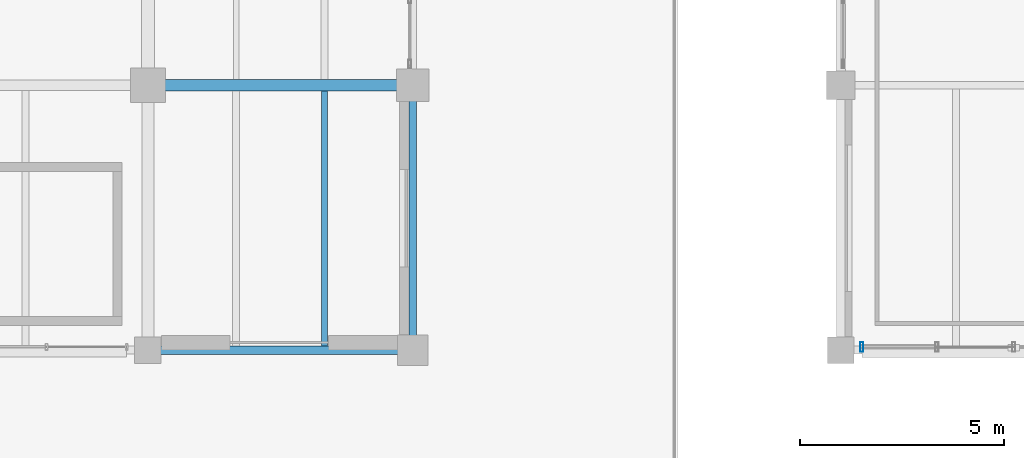
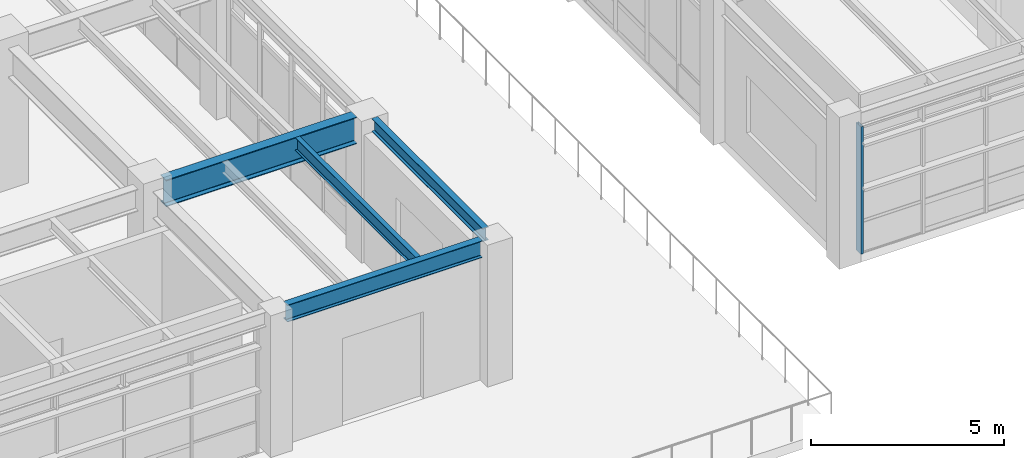
# One storey, part 105 of 200: 4 beams, 1 member, 1 element without a shape of its own.
"""IFC4 building model written with IfcOpenShell, lengths in metres."""

import ifcopenshell
import ifcopenshell.guid

model = None  # the IFC model being written
_history = None  # IfcOwnerHistory: only IFC2X3 demands one
_inside = {}  # id of a spatial element -> (the spatial element, [elements in it])
_under = {}  # id of a project, library or spatial element -> (it, [spatial elements below it])
_declared = {}  # id of a project -> (the project, [libraries it declares])
_typed = {}  # id of a type object -> (the type object, [elements of that type])
_made_of = {}  # id of a material, layer set ... -> (it, [elements and type objects made of it])


def new_model(schema):
    """Start an empty IFC model of exactly this schema.

    Asked for "IFC4X3", IfcOpenShell would pick the latest addendum, in which some entities
    have other attributes; the version numbers below select the first issue.
    IFC2X3 requires an IfcOwnerHistory on every rooted entity: one is made here for all.
    """
    global model, _history
    if schema == "IFC4X3":
        model = ifcopenshell.file(schema_version=(4, 3, 0, 0))
    else:
        model = ifcopenshell.file(schema=schema)
    _inside.clear()
    _under.clear()
    _declared.clear()
    _typed.clear()
    _made_of.clear()
    _history = None
    if model.schema == "IFC2X3":
        org = make("IfcOrganization", Name="unknown")
        user = make(
            "IfcPersonAndOrganization",
            ThePerson=make("IfcPerson", FamilyName="unknown"),
            TheOrganization=org,
        )
        app = make(
            "IfcApplication",
            ApplicationDeveloper=org,
            Version="unknown",
            ApplicationFullName="unknown",
            ApplicationIdentifier="unknown",
        )
        _history = make(
            "IfcOwnerHistory",
            OwningUser=user,
            OwningApplication=app,
            ChangeAction="ADDED",
            CreationDate=0,
        )
    return model


def make(cls, **values):
    """One entity of the class cls with the attributes given. An attribute that is None is left unset."""
    return model.create_entity(
        cls, **{name: value for name, value in values.items() if value is not None}
    )


def rooted(cls, **values):
    """An entity with a GlobalId (a new one), such as an element, a storey or a relation."""
    return make(cls, GlobalId=ifcopenshell.guid.new(), OwnerHistory=_history, **values)


def si_unit(unit_type, name, prefix=None):
    """IfcSIUnit, for example si_unit("LENGTHUNIT", "METRE", prefix="MILLI")."""
    return make("IfcSIUnit", UnitType=unit_type, Prefix=prefix, Name=name)


def assignment(units):
    """IfcUnitAssignment: the units of a project."""
    return None if units is None else make("IfcUnitAssignment", Units=units)


def point(xyz):
    """IfcCartesianPoint."""
    return None if xyz is None else make("IfcCartesianPoint", Coordinates=xyz)


def direction(xyz):
    """IfcDirection."""
    return None if xyz is None else make("IfcDirection", DirectionRatios=xyz)


def frame(location, z_axis=None, x_axis=None):
    """IfcAxis2Placement3D, a coordinate frame: its origin and axes. An axis left out is left unset."""
    return make(
        "IfcAxis2Placement3D",
        Location=point(location),
        Axis=direction(z_axis),
        RefDirection=direction(x_axis),
    )


def frame_2d(location, x_axis=None):
    """IfcAxis2Placement2D, a coordinate frame in the plane: its origin and x axis."""
    return make(
        "IfcAxis2Placement2D", Location=point(location), RefDirection=direction(x_axis)
    )


def origin():
    """The frame at (0, 0, 0) with its axes left unset."""
    return frame((0.0, 0.0, 0.0))


def origin_2d():
    """The frame at (0, 0) in the plane with its x axis left unset."""
    return frame_2d((0.0, 0.0))


def place(relative_to, where):
    """IfcLocalPlacement: puts the frame where relative to a parent placement (None: the world)."""
    return make(
        "IfcLocalPlacement", PlacementRelTo=relative_to, RelativePlacement=where
    )


def context(
    kind, dimensions, precision=None, world=None, true_north=None, identifier=None
):
    """IfcGeometricRepresentationContext, for example the 3D "Model" context."""
    return make(
        "IfcGeometricRepresentationContext",
        ContextIdentifier=identifier,
        ContextType=kind,
        CoordinateSpaceDimension=dimensions,
        Precision=precision,
        WorldCoordinateSystem=world,
        TrueNorth=true_north,
    )


def subcontext(parent, identifier, kind, view, scale=None):
    """IfcGeometricRepresentationSubContext, for example "Body" below "Model"."""
    return make(
        "IfcGeometricRepresentationSubContext",
        ContextIdentifier=identifier,
        ContextType=kind,
        ParentContext=parent,
        TargetScale=scale,
        TargetView=view,
    )


def project(units=None, contexts=None):
    """IfcProject with its units and contexts."""
    return rooted(
        "IfcProject",
        Name="project",
        RepresentationContexts=contexts,
        UnitsInContext=assignment(units),
    )


def spatial(cls, under=None, at=None, **own):
    """A site, building, storey or space (cls), placed at a placement, below another one or the project."""
    s = rooted(cls, ObjectPlacement=at, **own)
    if under is not None:
        _under.setdefault(under.id(), (under, []))[1].append(s)
    return s


def profile(cls, at=None, kind="AREA", **sizes):
    """A parametric profile (cls). Its sizes go by their IFC names, for example OverallWidth=200.0."""
    return make(cls, ProfileType=kind, Position=at, **sizes)


def hollow_rectangle(**sizes):
    """IfcRectangleHollowProfileDef."""
    return profile("IfcRectangleHollowProfileDef", **sizes)


def i_section(**sizes):
    """IfcIShapeProfileDef."""
    return profile("IfcIShapeProfileDef", **sizes)


def extrude(swept, where, along, depth):
    """IfcExtrudedAreaSolid: the profile swept, set in the frame where, extruded along a direction by depth."""
    return make(
        "IfcExtrudedAreaSolid",
        SweptArea=swept,
        Position=where,
        ExtrudedDirection=direction(along),
        Depth=depth,
    )


def shape(context_of_items, identifier, shape_type, items):
    """IfcShapeRepresentation: the items that make up one representation, for example the "Body"."""
    return make(
        "IfcShapeRepresentation",
        ContextOfItems=context_of_items,
        RepresentationIdentifier=identifier,
        RepresentationType=shape_type,
        Items=items,
    )


def material(Name=None, Category=None):
    """IfcMaterial."""
    return make("IfcMaterial", Name=Name, Category=Category)


def material_profile(
    of_material, cross_section, Name=None, Category=None, Priority=None
):
    """IfcMaterialProfile: a cross section and its material."""
    return make(
        "IfcMaterialProfile",
        Name=Name,
        Material=of_material,
        Profile=cross_section,
        Priority=Priority,
        Category=Category,
    )


def profile_set(profiles, Name=None, composite=None):
    """IfcMaterialProfileSet."""
    return make(
        "IfcMaterialProfileSet",
        Name=Name,
        MaterialProfiles=profiles,
        CompositeProfile=composite,
    )


def made_of(thing, what):
    """Note that an element or type object is made of a material, layer set ...; save() writes the relation."""
    if what is not None:
        _made_of.setdefault(what.id(), (what, []))[1].append(thing)
    return thing


def type_object(cls, material=None, **own):
    """A type object (cls), such as IfcWallType, which elements share."""
    return made_of(rooted(cls, **own), material)


def element(
    cls,
    number,
    at=None,
    inside=None,
    cuts=None,
    type_object=None,
    material=None,
    context=None,
    identifier="Body",
    shape_type=None,
    held_by="IfcProductDefinitionShape",
    body=None,
    shapes=None,
    **own,
):
    """One element of the class cls, such as IfcWall. Its Tag is "e" and its number.

    at: its placement. inside: the storey or other place that contains it. cuts: it is an
    opening in that element (IfcRelVoidsElement). A single representation is given by context,
    identifier, shape_type and body (its items); several are given by shapes. held_by: the class
    of the entity that holds the representations. save() writes the other relations.
    """
    e = rooted(cls, Tag="e%d" % number, ObjectPlacement=at, **own)
    if body is not None:
        shapes = [shape(context, identifier, shape_type, body)]
    if shapes is not None:
        e.Representation = make(held_by, Representations=shapes)
    if inside is not None:
        _inside.setdefault(inside.id(), (inside, []))[1].append(e)
    if cuts is not None:
        rooted(
            "IfcRelVoidsElement", RelatingBuildingElement=cuts, RelatedOpeningElement=e
        )
    if type_object is not None:
        _typed.setdefault(type_object.id(), (type_object, []))[1].append(e)
    return made_of(e, material)


def aggregate(whole, parts):
    """IfcRelAggregates: a whole, such as a stair, and the parts it consists of."""
    return rooted("IfcRelAggregates", RelatingObject=whole, RelatedObjects=parts)


def save(model, path):
    """Write the relations noted so far, then the file.

    IfcRelAggregates (storeys below a building ...), IfcRelContainedInSpatialStructure (elements
    in a storey), IfcRelDefinesByType, IfcRelAssociatesMaterial and IfcRelDeclares: one each for
    every whole, place, type object, material and project.
    """
    for whole, parts in _under.values():
        aggregate(whole, parts)
    for where, things in _inside.values():
        rooted(
            "IfcRelContainedInSpatialStructure",
            RelatedElements=things,
            RelatingStructure=where,
        )
    for kind, things in _typed.values():
        rooted("IfcRelDefinesByType", RelatedObjects=things, RelatingType=kind)
    for what, things in _made_of.values():
        rooted("IfcRelAssociatesMaterial", RelatedObjects=things, RelatingMaterial=what)
    for by, libraries in _declared.values():
        rooted("IfcRelDeclares", RelatingContext=by, RelatedDefinitions=libraries)
    model.write(path)


model = new_model("IFC4")

# Units and contexts
model_context = context("Model", 3, precision=1e-05, world=origin(), true_north=direction((0.0, 1.0)))
body_context = subcontext(model_context, "Body", "Model", "MODEL_VIEW")
ifc_project = project(units=[si_unit("LENGTHUNIT", "METRE"), si_unit("AREAUNIT", "SQUARE_METRE"), si_unit("VOLUMEUNIT", "CUBIC_METRE"), si_unit("PLANEANGLEUNIT", "RADIAN"), si_unit("MASSUNIT", "GRAM", prefix="KILO"), si_unit("THERMODYNAMICTEMPERATUREUNIT", "KELVIN"), si_unit("POWERUNIT", "WATT")], contexts=[model_context])

# Site, building, storey
site_placement = place(None, origin())
site = spatial("IfcSite", under=ifc_project, at=site_placement, CompositionType="ELEMENT")
building_placement = place(site_placement, origin())
building = spatial("IfcBuilding", under=site, at=building_placement, Name="Tepalcoro Natatorium and Aquatics Centre", CompositionType="ELEMENT")
storey_placement = place(building_placement, frame((0.0, 0.0, 5.39990234375)))
storey = spatial("IfcBuildingStorey", under=building, at=storey_placement, Name="L01", CompositionType="ELEMENT", Elevation=5.39990234375)

# Beam
ifc_material_1 = material(Name="Steel ASTM A992 Grade 50 (Fy 345 MPa)", Category="steel")
ifc_material_profile_1 = material_profile(ifc_material_1, i_section(OverallWidth=0.2919921875, OverallDepth=0.845947265625, WebThickness=0.014892578125, FlangeThickness=0.02392578125, FilletRadius=0.013916015625, at=origin_2d()), Name="W33X141")
ifc_profile_set_1 = profile_set([ifc_material_profile_1], Name="Steel ASTM A992 Grade 50 (Fy 345 MPa)")
beam_type_1 = type_object("IfcBeamType", Name="BM_W33x141", PredefinedType="BEAM", material=ifc_profile_set_1)
beam_1_placement = place(storey_placement, frame((125.409912109375, 13.0, 4.0419921875), z_axis=(1.0, 0.0, 0.0), x_axis=(0.0, 1.0, 0.0)))
element("IfcBeam", 1, at=beam_1_placement, inside=storey, type_object=beam_type_1, Name="V1 L01 Grid Girder X", PredefinedType="BEAM", context=body_context, shape_type="SweptSolid", body=[
    extrude(i_section(OverallWidth=0.2919921875, OverallDepth=0.845947265625, WebThickness=0.014892578125, FlangeThickness=0.02392578125, FilletRadius=0.013916015625, at=origin_2d()), origin(), (0.0, 0.0, 1.0), 5.705078125),
])

# Curtain wall, member
ifc_material_2 = material(Name="Bronze-Anodised Extruded Aluminium Alloy EN AW-6063 T6", Category="aluminium")
curtain_wall_type = type_object("IfcCurtainWallType", Name="CW_V2_DIVING", PredefinedType="USERDEFINED", material=ifc_material_2)
curtain_wall_placement = place(storey_placement, origin())
curtain_wall = element("IfcCurtainWall", 2, at=curtain_wall_placement, inside=storey, type_object=curtain_wall_type, Name="V2 L01 S Unitised Curtain Wall Bay 1", ObjectType="FACETED SOLAR GLAZING", PredefinedType="USERDEFINED")
ifc_material_profile_2 = material_profile(ifc_material_2, hollow_rectangle(XDim=0.080078125, YDim=0.239990234375, WallThickness=0.0048828125, at=origin_2d()), Name="AL80X240X5")
ifc_profile_set_2 = profile_set([ifc_material_profile_2], Name="Bronze-Anodised Extruded Aluminium Alloy EN AW-6063 T6")
member_type = type_object("IfcMemberType", Name="CW_MUL_80x240", PredefinedType="MULLION", material=ifc_profile_set_2)
member_placement = place(storey_placement, frame((142.52001953125, 6.576171875, 0.02001953125), z_axis=(0.0, 0.0, 1.0), x_axis=(1.0, 0.0, 0.0)))
member = element("IfcMember", 3, at=member_placement, type_object=member_type, Name="CW_V2_DIVING Curtain Wall Mullion", PredefinedType="MULLION", context=body_context, shape_type="SweptSolid", body=[
    extrude(hollow_rectangle(XDim=0.080078125, YDim=0.239990234375, WallThickness=0.0048828125, at=origin_2d()), origin(), (0.0, 0.0, 1.0), 4.030029296875),
])
aggregate(curtain_wall, [member])

# Beams
ifc_material_profile_3 = material_profile(ifc_material_1, i_section(OverallWidth=0.139892578125, OverallDepth=0.404052734375, WebThickness=0.007080078125, FlangeThickness=0.010986328125, FilletRadius=0.013916015625, at=origin_2d()), Name="W16X31")
ifc_profile_set_3 = profile_set([ifc_material_profile_3], Name="Steel ASTM A992 Grade 50 (Fy 345 MPa)")
beam_type_2 = type_object("IfcBeamType", Name="JS_W16x31", PredefinedType="JOIST", material=ifc_profile_set_3)
beam_2_placement = place(storey_placement, frame((129.333251953125, 6.60498046875, 4.26318359375), z_axis=(0.0, 1.0, 0.0), x_axis=(-1.0, 0.0, 0.0)))
element("IfcBeam", 4, at=beam_2_placement, inside=storey, type_object=beam_type_2, Name="V1 L01 Floor Joist", PredefinedType="JOIST", context=body_context, shape_type="SweptSolid", body=[
    extrude(i_section(OverallWidth=0.139892578125, OverallDepth=0.404052734375, WebThickness=0.007080078125, FlangeThickness=0.010986328125, FilletRadius=0.013916015625, at=origin_2d()), origin(), (0.0, 0.0, 1.0), 6.2490234375),
])
ifc_material_profile_4 = material_profile(ifc_material_1, i_section(OverallWidth=0.179931640625, OverallDepth=0.4130859375, WebThickness=0.010009765625, FlangeThickness=0.01611328125, FilletRadius=0.013916015625, at=origin_2d()), Name="W16X50")
ifc_profile_set_4 = profile_set([ifc_material_profile_4], Name="Steel ASTM A992 Grade 50 (Fy 345 MPa)")
beam_type_3 = type_object("IfcBeamType", Name="SP_HSS300x200x12", PredefinedType="SPANDREL", material=ifc_profile_set_4)
beam_3_placement = place(storey_placement, frame((131.5, 6.860107421875, 4.258544921875), z_axis=(0.0, 1.0, 0.0), x_axis=(-1.0, 0.0, 0.0)))
element("IfcBeam", 5, at=beam_3_placement, inside=storey, type_object=beam_type_3, Name="V1 L01 Grid Girder Y", PredefinedType="SPANDREL", context=body_context, shape_type="SweptSolid", body=[
    extrude(i_section(OverallWidth=0.179931640625, OverallDepth=0.4130859375, WebThickness=0.010009765625, FlangeThickness=0.01611328125, FilletRadius=0.013916015625, at=origin_2d()), origin(), (0.0, 0.0, 1.0), 5.7548828125),
])
ifc_material_profile_5 = material_profile(ifc_material_1, i_section(OverallWidth=0.2099609375, OverallDepth=0.535888671875, WebThickness=0.010986328125, FlangeThickness=0.01708984375, FilletRadius=0.013916015625, at=origin_2d()), Name="W21X68")
ifc_profile_set_5 = profile_set([ifc_material_profile_5], Name="Steel ASTM A992 Grade 50 (Fy 345 MPa)")
beam_type_4 = type_object("IfcBeamType", Name="SP_W21x68", PredefinedType="SPANDREL", material=ifc_profile_set_5)
beam_4_placement = place(storey_placement, frame((125.31005859375, 6.5, 4.197021484375), z_axis=(1.0, 0.0, 0.0), x_axis=(0.0, 1.0, 0.0)))
element("IfcBeam", 6, at=beam_4_placement, inside=storey, type_object=beam_type_4, Name="V1 L01 Grid Girder X", PredefinedType="SPANDREL", context=body_context, shape_type="SweptSolid", body=[
    extrude(i_section(OverallWidth=0.2099609375, OverallDepth=0.535888671875, WebThickness=0.010986328125, FlangeThickness=0.01708984375, FilletRadius=0.013916015625, at=origin_2d()), origin(), (0.0, 0.0, 1.0), 5.829833984375),
])

save(model, "model.ifc")
